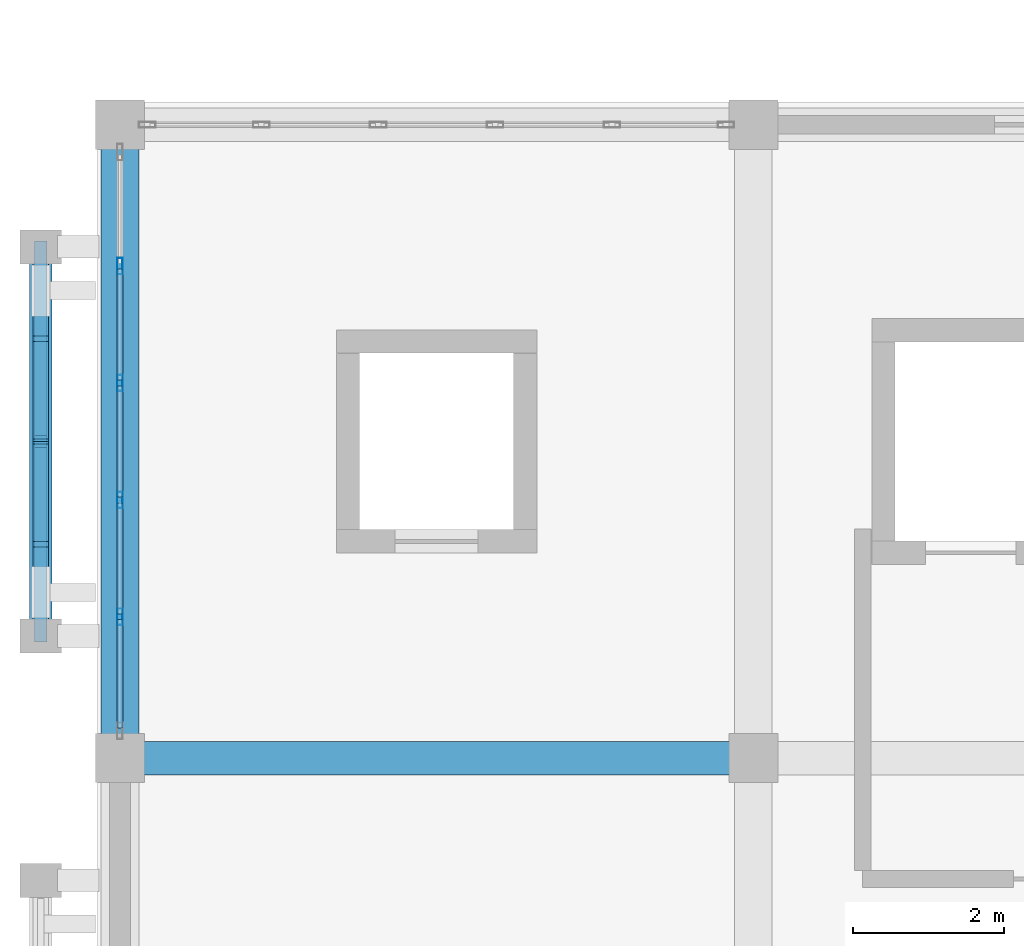
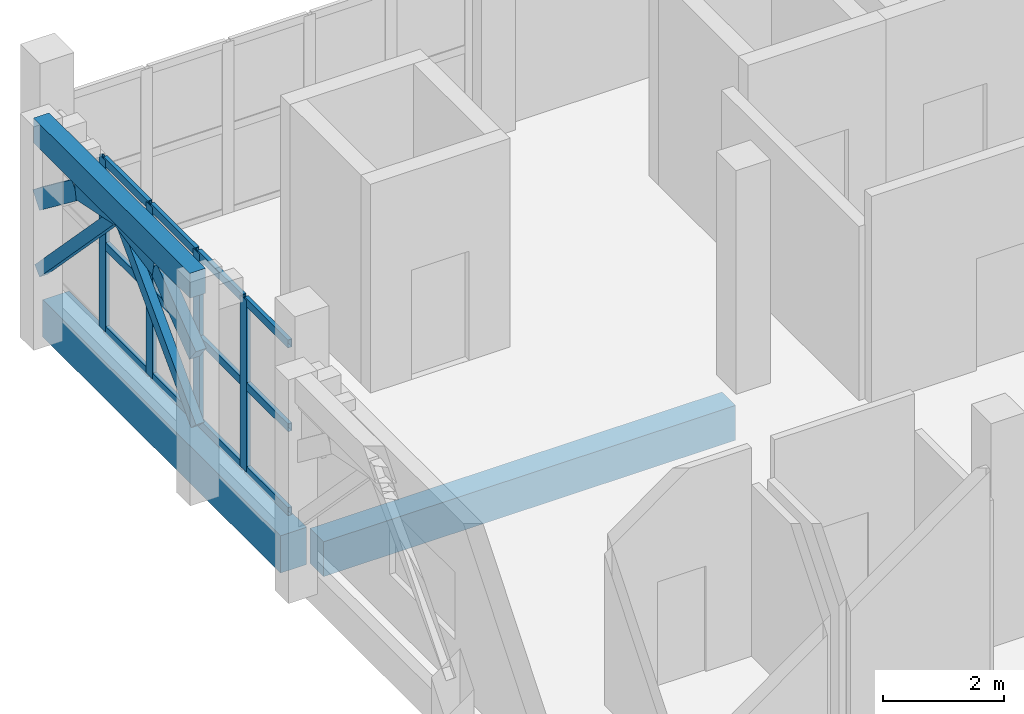
# One storey, part 7 of 22: 22 members, 3 beams, 1 element without a shape of its own.
"""IFC4 building model written with IfcOpenShell, lengths in metres."""

from ifc_helpers import new_model, si_unit, direction, frame, origin, origin_2d, place, context, subcontext, project, spatial, rectangle, hollow_rectangle, extrude, material, layer, layer_set, material_profile, profile_set, type_object, element, aggregate, save


model = new_model("IFC4")

# Units and contexts
model_context = context("Model", 3, precision=1e-05, world=origin(), true_north=direction((0.0, 1.0)))
body_context = subcontext(model_context, "Body", "Model", "MODEL_VIEW")
ifc_project = project(units=[si_unit("LENGTHUNIT", "METRE"), si_unit("AREAUNIT", "SQUARE_METRE"), si_unit("VOLUMEUNIT", "CUBIC_METRE"), si_unit("PLANEANGLEUNIT", "RADIAN"), si_unit("MASSUNIT", "GRAM", prefix="KILO")], contexts=[model_context])

# Site, building, storey
site_placement = place(None, origin())
site = spatial("IfcSite", under=ifc_project, at=site_placement, CompositionType="ELEMENT")
building_placement = place(site_placement, origin())
building = spatial("IfcBuilding", under=site, at=building_placement, Name="Xazarin Passage Department Store", CompositionType="ELEMENT")
storey_placement = place(building_placement, frame((0.0, 0.0, 27.89990234375)))
storey = spatial("IfcBuildingStorey", under=building, at=storey_placement, Name="L06", CompositionType="ELEMENT", Elevation=27.89990234375)

# Curtain wall, members
ifc_material_1 = material(Name="Bronze anodised aluminium", Category="aluminium")
ifc_layer = layer(ifc_material_1, 0.199951171875)
ifc_layer_set = layer_set([ifc_layer], Name="Bronze anodised aluminium")
curtain_wall_type = type_object("IfcCurtainWallType", Name="ARC-CW-VIT2", PredefinedType="NOTDEFINED", material=ifc_layer_set)
curtain_wall_placement = place(storey_placement, origin())
curtain_wall = element("IfcCurtainWall", 1, at=curtain_wall_placement, inside=storey, type_object=curtain_wall_type, Name="L06 V1 Curtain Wall 090", PredefinedType="NOTDEFINED")
ifc_material_profile_1 = material_profile(ifc_material_1, hollow_rectangle(XDim=0.074951171875, YDim=0.219970703125, WallThickness=0.0048828125, at=origin_2d()), Name="ALU 75x220")
ifc_profile_set_1 = profile_set([ifc_material_profile_1], Name="Bronze anodised aluminium")
member_type_1 = type_object("IfcMemberType", Name="ARC-CWM-75x220", PredefinedType="MULLION", material=ifc_profile_set_1)
member_1_placement = place(storey_placement, frame((0.0, 95.074951171875, 0.0), z_axis=(0.0, 0.0, 1.0), x_axis=(-1.0, 0.0, 0.0)))
member_1 = element("IfcMember", 2, at=member_1_placement, type_object=member_type_1, Name="CW2 mullion 2", PredefinedType="MULLION", context=body_context, shape_type="SweptSolid", body=[
    extrude(hollow_rectangle(XDim=0.074951171875, YDim=0.219970703125, WallThickness=0.0048828125, at=origin_2d()), origin(), (0.0, 0.0, 1.0), 3.4501953125),
])
member_2_placement = place(storey_placement, frame((0.0, 96.625, 0.0), z_axis=(0.0, 0.0, 1.0), x_axis=(-1.0, 0.0, 0.0)))
member_2 = element("IfcMember", 3, at=member_2_placement, type_object=member_type_1, Name="CW2 mullion 3", PredefinedType="MULLION", context=body_context, shape_type="SweptSolid", body=[
    extrude(hollow_rectangle(XDim=0.074951171875, YDim=0.219970703125, WallThickness=0.0048828125, at=origin_2d()), origin(), (0.0, 0.0, 1.0), 3.4501953125),
])
member_3_placement = place(storey_placement, frame((0.0, 98.175048828125, 0.0), z_axis=(0.0, 0.0, 1.0), x_axis=(-1.0, 0.0, 0.0)))
member_3 = element("IfcMember", 4, at=member_3_placement, type_object=member_type_1, Name="CW2 mullion 4", PredefinedType="MULLION", context=body_context, shape_type="SweptSolid", body=[
    extrude(hollow_rectangle(XDim=0.074951171875, YDim=0.219970703125, WallThickness=0.0048828125, at=origin_2d()), origin(), (0.0, 0.0, 1.0), 3.4501953125),
])
member_4_placement = place(storey_placement, frame((0.0, 99.72509765625, 0.0), z_axis=(0.0, 0.0, 1.0), x_axis=(-1.0, 0.0, 0.0)))
member_4 = element("IfcMember", 5, at=member_4_placement, type_object=member_type_1, Name="CW2 mullion 5", PredefinedType="MULLION", context=body_context, shape_type="SweptSolid", body=[
    extrude(hollow_rectangle(XDim=0.074951171875, YDim=0.219970703125, WallThickness=0.0048828125, at=origin_2d()), origin(), (0.0, 0.0, 1.0), 3.4501953125),
])
ifc_material_profile_2 = material_profile(ifc_material_1, hollow_rectangle(XDim=0.074951171875, YDim=0.159912109375, WallThickness=0.00439453125, at=origin_2d()), Name="ALU 75x160")
ifc_profile_set_2 = profile_set([ifc_material_profile_2], Name="Bronze anodised aluminium")
member_type_2 = type_object("IfcMemberType", Name="ARC-CWT-75x160", PredefinedType="USERDEFINED", material=ifc_profile_set_2)
member_5_placement = place(storey_placement, frame((0.0, 93.60009765625, 0.03759765625), z_axis=(0.0, 1.0, 0.0), x_axis=(-1.0, 0.0, 0.0)))
member_5 = element("IfcMember", 6, at=member_5_placement, type_object=member_type_2, Name="CW2 transom 1.1", ObjectType="TRANSOM", PredefinedType="USERDEFINED", context=body_context, shape_type="SweptSolid", body=[
    extrude(hollow_rectangle(XDim=0.074951171875, YDim=0.159912109375, WallThickness=0.00439453125, at=origin_2d()), origin(), (0.0, 0.0, 1.0), 1.4375),
])
member_6_placement = place(storey_placement, frame((0.0, 93.60009765625, 1.72509765625), z_axis=(0.0, 1.0, 0.0), x_axis=(-1.0, 0.0, 0.0)))
member_6 = element("IfcMember", 7, at=member_6_placement, type_object=member_type_2, Name="CW2 transom 1.2", ObjectType="TRANSOM", PredefinedType="USERDEFINED", context=body_context, shape_type="SweptSolid", body=[
    extrude(hollow_rectangle(XDim=0.074951171875, YDim=0.159912109375, WallThickness=0.00439453125, at=origin_2d()), origin(), (0.0, 0.0, 1.0), 1.4375),
])
member_7_placement = place(storey_placement, frame((0.0, 93.60009765625, 3.41259765625), z_axis=(0.0, 1.0, 0.0), x_axis=(-1.0, 0.0, 0.0)))
member_7 = element("IfcMember", 8, at=member_7_placement, type_object=member_type_2, Name="CW2 transom 1.3", ObjectType="TRANSOM", PredefinedType="USERDEFINED", context=body_context, shape_type="SweptSolid", body=[
    extrude(hollow_rectangle(XDim=0.074951171875, YDim=0.159912109375, WallThickness=0.00439453125, at=origin_2d()), origin(), (0.0, 0.0, 1.0), 1.4375),
])
member_8_placement = place(storey_placement, frame((0.0, 95.112548828125, 0.03759765625), z_axis=(0.0, 1.0, 0.0), x_axis=(-1.0, 0.0, 0.0)))
member_8 = element("IfcMember", 9, at=member_8_placement, type_object=member_type_2, Name="CW2 transom 2.1", ObjectType="TRANSOM", PredefinedType="USERDEFINED", context=body_context, shape_type="SweptSolid", body=[
    extrude(hollow_rectangle(XDim=0.074951171875, YDim=0.159912109375, WallThickness=0.00439453125, at=origin_2d()), origin(), (0.0, 0.0, 1.0), 1.474853515625),
])
member_9_placement = place(storey_placement, frame((0.0, 95.112548828125, 1.72509765625), z_axis=(0.0, 1.0, 0.0), x_axis=(-1.0, 0.0, 0.0)))
member_9 = element("IfcMember", 10, at=member_9_placement, type_object=member_type_2, Name="CW2 transom 2.2", ObjectType="TRANSOM", PredefinedType="USERDEFINED", context=body_context, shape_type="SweptSolid", body=[
    extrude(hollow_rectangle(XDim=0.074951171875, YDim=0.159912109375, WallThickness=0.00439453125, at=origin_2d()), origin(), (0.0, 0.0, 1.0), 1.474853515625),
])
member_10_placement = place(storey_placement, frame((0.0, 95.112548828125, 3.41259765625), z_axis=(0.0, 1.0, 0.0), x_axis=(-1.0, 0.0, 0.0)))
member_10 = element("IfcMember", 11, at=member_10_placement, type_object=member_type_2, Name="CW2 transom 2.3", ObjectType="TRANSOM", PredefinedType="USERDEFINED", context=body_context, shape_type="SweptSolid", body=[
    extrude(hollow_rectangle(XDim=0.074951171875, YDim=0.159912109375, WallThickness=0.00439453125, at=origin_2d()), origin(), (0.0, 0.0, 1.0), 1.474853515625),
])
member_11_placement = place(storey_placement, frame((0.0, 96.66259765625, 0.03759765625), z_axis=(0.0, 1.0, 0.0), x_axis=(-1.0, 0.0, 0.0)))
member_11 = element("IfcMember", 12, at=member_11_placement, type_object=member_type_2, Name="CW2 transom 3.1", ObjectType="TRANSOM", PredefinedType="USERDEFINED", context=body_context, shape_type="SweptSolid", body=[
    extrude(hollow_rectangle(XDim=0.074951171875, YDim=0.159912109375, WallThickness=0.00439453125, at=origin_2d()), origin(), (0.0, 0.0, 1.0), 1.474853515625),
])
member_12_placement = place(storey_placement, frame((0.0, 96.66259765625, 1.72509765625), z_axis=(0.0, 1.0, 0.0), x_axis=(-1.0, 0.0, 0.0)))
member_12 = element("IfcMember", 13, at=member_12_placement, type_object=member_type_2, Name="CW2 transom 3.2", ObjectType="TRANSOM", PredefinedType="USERDEFINED", context=body_context, shape_type="SweptSolid", body=[
    extrude(hollow_rectangle(XDim=0.074951171875, YDim=0.159912109375, WallThickness=0.00439453125, at=origin_2d()), origin(), (0.0, 0.0, 1.0), 1.474853515625),
])
member_13_placement = place(storey_placement, frame((0.0, 96.66259765625, 3.41259765625), z_axis=(0.0, 1.0, 0.0), x_axis=(-1.0, 0.0, 0.0)))
member_13 = element("IfcMember", 14, at=member_13_placement, type_object=member_type_2, Name="CW2 transom 3.3", ObjectType="TRANSOM", PredefinedType="USERDEFINED", context=body_context, shape_type="SweptSolid", body=[
    extrude(hollow_rectangle(XDim=0.074951171875, YDim=0.159912109375, WallThickness=0.00439453125, at=origin_2d()), origin(), (0.0, 0.0, 1.0), 1.474853515625),
])
member_14_placement = place(storey_placement, frame((0.0, 98.21240234375, 0.03759765625), z_axis=(0.0, 1.0, 0.0), x_axis=(-1.0, 0.0, 0.0)))
member_14 = element("IfcMember", 15, at=member_14_placement, type_object=member_type_2, Name="CW2 transom 4.1", ObjectType="TRANSOM", PredefinedType="USERDEFINED", context=body_context, shape_type="SweptSolid", body=[
    extrude(hollow_rectangle(XDim=0.074951171875, YDim=0.159912109375, WallThickness=0.00439453125, at=origin_2d()), origin(), (0.0, 0.0, 1.0), 1.47509765625),
])
member_15_placement = place(storey_placement, frame((0.0, 98.21240234375, 1.72509765625), z_axis=(0.0, 1.0, 0.0), x_axis=(-1.0, 0.0, 0.0)))
member_15 = element("IfcMember", 16, at=member_15_placement, type_object=member_type_2, Name="CW2 transom 4.2", ObjectType="TRANSOM", PredefinedType="USERDEFINED", context=body_context, shape_type="SweptSolid", body=[
    extrude(hollow_rectangle(XDim=0.074951171875, YDim=0.159912109375, WallThickness=0.00439453125, at=origin_2d()), origin(), (0.0, 0.0, 1.0), 1.47509765625),
])
member_16_placement = place(storey_placement, frame((0.0, 98.21240234375, 3.41259765625), z_axis=(0.0, 1.0, 0.0), x_axis=(-1.0, 0.0, 0.0)))
member_16 = element("IfcMember", 17, at=member_16_placement, type_object=member_type_2, Name="CW2 transom 4.3", ObjectType="TRANSOM", PredefinedType="USERDEFINED", context=body_context, shape_type="SweptSolid", body=[
    extrude(hollow_rectangle(XDim=0.074951171875, YDim=0.159912109375, WallThickness=0.00439453125, at=origin_2d()), origin(), (0.0, 0.0, 1.0), 1.47509765625),
])
aggregate(curtain_wall, [member_1, member_2, member_3, member_4, member_5, member_6, member_7, member_8, member_9, member_10, member_11, member_12, member_13, member_14, member_15, member_16])

# Beams
ifc_material_2 = material(Name="Concrete C35/45", Category="concrete")
ifc_material_profile_3 = material_profile(ifc_material_2, rectangle(XDim=0.449951171875, YDim=0.699951171875, at=origin_2d()), Name="RC 450x700")
ifc_profile_set_3 = profile_set([ifc_material_profile_3], Name="Concrete C35/45")
beam_type_1 = type_object("IfcBeamType", Name="STR-BM-G450x700", PredefinedType="BEAM", material=ifc_profile_set_3)
beam_1_placement = place(storey_placement, frame((0.280029296875, 93.199951171875, -0.64990234375), z_axis=(1.0, 0.0, 0.0), x_axis=(0.0, 1.0, 0.0)))
element("IfcBeam", 18, at=beam_1_placement, inside=storey, type_object=beam_type_1, Name="L06 Grid Beam N/1-2", PredefinedType="BEAM", context=body_context, shape_type="SweptSolid", body=[
    extrude(rectangle(XDim=0.449951171875, YDim=0.699951171875, at=origin_2d()), origin(), (0.0, 0.0, 1.0), 7.840087890625),
])
ifc_material_profile_4 = material_profile(ifc_material_2, rectangle(XDim=0.300048828125, YDim=0.5, at=origin_2d()), Name="RC 300x500")
ifc_profile_set_4 = profile_set([ifc_material_profile_4], Name="Concrete C35/45")
beam_type_2 = type_object("IfcBeamType", Name="STR-BM-LN300x500", PredefinedType="LINTEL", material=ifc_profile_set_4)
beam_2_placement = place(storey_placement, frame((-1.050048828125, 94.820068359375, 4.25), z_axis=(0.0, 1.0, 0.0), x_axis=(-1.0, 0.0, 0.0)))
element("IfcBeam", 19, at=beam_2_placement, inside=storey, type_object=beam_type_2, Name="L06 V1 Colonnade Spandrel Beam 013", PredefinedType="LINTEL", context=body_context, shape_type="SweptSolid", body=[
    extrude(rectangle(XDim=0.300048828125, YDim=0.5, at=origin_2d()), origin(), (0.0, 0.0, 1.0), 5.159912109375),
])
ifc_material_profile_5 = material_profile(ifc_material_2, rectangle(XDim=0.5, YDim=0.75, at=origin_2d()), Name="RC 500x750")
ifc_profile_set_5 = profile_set([ifc_material_profile_5], Name="Concrete C35/45")
beam_type_3 = type_object("IfcBeamType", Name="STR-BM-SP500x750", PredefinedType="SPANDREL", material=ifc_profile_set_5)
beam_3_placement = place(storey_placement, frame((0.0, 93.47998046875, -0.6748046875), z_axis=(0.0, 1.0, 0.0), x_axis=(-1.0, 0.0, 0.0)))
element("IfcBeam", 20, at=beam_3_placement, inside=storey, type_object=beam_type_3, Name="L06 Grid Beam 1/N-P", PredefinedType="SPANDREL", context=body_context, shape_type="SweptSolid", body=[
    extrude(rectangle(XDim=0.5, YDim=0.75, at=origin_2d()), origin(), (0.0, 0.0, 1.0), 7.840087890625),
])

# Members
ifc_material_3 = material(Name="Concrete C40/50", Category="concrete")
ifc_material_profile_6 = material_profile(ifc_material_3, rectangle(XDim=0.199951171875, YDim=0.360107421875, at=origin_2d()), Name="RC 200x360")
ifc_profile_set_6 = profile_set([ifc_material_profile_6], Name="Concrete C40/50")
member_type_3 = type_object("IfcMemberType", Name="STR-MEM-ARC360", PredefinedType="CHORD", material=ifc_profile_set_6)
member_17_placement = place(storey_placement, frame((-1.050048828125, 94.820068359375, 2.830078125), z_axis=(0.0, 0.79440903847, 0.607383140692), x_axis=(-1.0, 0.0, 0.0)))
element("IfcMember", 21, at=member_17_placement, inside=storey, type_object=member_type_3, Name="L06 V1 Pierced Lattice Curved Arch 013.1", PredefinedType="CHORD", context=body_context, shape_type="SweptSolid", body=[
    extrude(rectangle(XDim=0.199951171875, YDim=0.360107421875, at=origin_2d()), origin(), (0.0, 0.0, 1.0), 1.623779296875),
])
member_18_placement = place(storey_placement, frame((-1.050048828125, 96.110107421875, 3.81640625), z_axis=(0.0, 0.979737268571, 0.2002870055), x_axis=(-1.0, 0.0, 0.0)))
element("IfcMember", 22, at=member_18_placement, inside=storey, type_object=member_type_3, Name="L06 V1 Pierced Lattice Curved Arch 013.2", PredefinedType="CHORD", context=body_context, shape_type="SweptSolid", body=[
    extrude(rectangle(XDim=0.199951171875, YDim=0.360107421875, at=origin_2d()), origin(), (0.0, 0.0, 1.0), 1.31640625),
])
member_19_placement = place(storey_placement, frame((-1.050048828125, 97.39990234375, 4.080078125), z_axis=(0.0, 0.979744705887, -0.200250621188), x_axis=(-1.0, 0.0, 0.0)))
element("IfcMember", 23, at=member_19_placement, inside=storey, type_object=member_type_3, Name="L06 V1 Pierced Lattice Curved Arch 013.3", PredefinedType="CHORD", context=body_context, shape_type="SweptSolid", body=[
    extrude(rectangle(XDim=0.199951171875, YDim=0.360107421875, at=origin_2d()), origin(), (0.0, 0.0, 1.0), 1.316650390625),
])
member_20_placement = place(storey_placement, frame((-1.050048828125, 98.68994140625, 3.81640625), z_axis=(0.0, 0.79440903847, -0.607383140692), x_axis=(-1.0, 0.0, 0.0)))
element("IfcMember", 24, at=member_20_placement, inside=storey, type_object=member_type_3, Name="L06 V1 Pierced Lattice Curved Arch 013.4", PredefinedType="CHORD", context=body_context, shape_type="SweptSolid", body=[
    extrude(rectangle(XDim=0.199951171875, YDim=0.360107421875, at=origin_2d()), origin(), (0.0, 0.0, 1.0), 1.623779296875),
])
ifc_material_profile_7 = material_profile(ifc_material_3, rectangle(XDim=0.159912109375, YDim=0.219970703125, at=origin_2d()), Name="RC 160x220")
ifc_profile_set_7 = profile_set([ifc_material_profile_7], Name="Concrete C40/50")
member_type_4 = type_object("IfcMemberType", Name="STR-MEM-TRC220", PredefinedType="CHORD", material=ifc_profile_set_7)
for number, where, z_axis, x_axis, name in (
    (25, (-1.050048828125, 97.39990234375, 4.080078125), (0.0, -0.693524382622, -0.72043315492), (1.0, 0.0, 0.0), "L06 V1 Upper Lattice Tracery Arch 013L"),
    (26, (-1.050048828125, 97.39990234375, 4.080078125), (0.0, 0.693558444435, -0.720400363793), (-1.0, 0.0, 0.0), "L06 V1 Upper Lattice Tracery Arch 013R"),
):
    element("IfcMember", number, at=place(storey_placement, frame(where, z_axis=z_axis, x_axis=x_axis)), inside=storey, type_object=member_type_4, Name=name, PredefinedType="CHORD", context=body_context, shape_type="SweptSolid", body=[
        extrude(rectangle(XDim=0.159912109375, YDim=0.219970703125, at=origin_2d()), origin(), (0.0, 0.0, 1.0), 3.719970703125),
    ])

save(model, "model.ifc")
